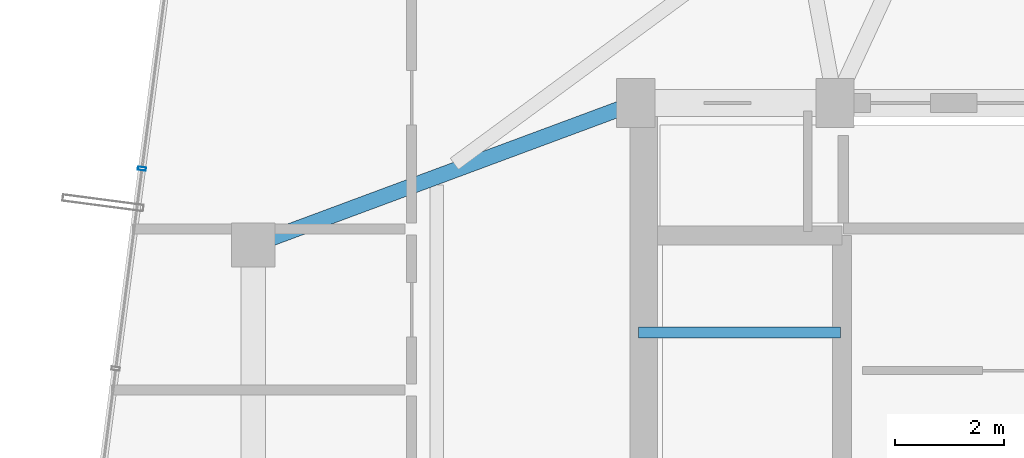
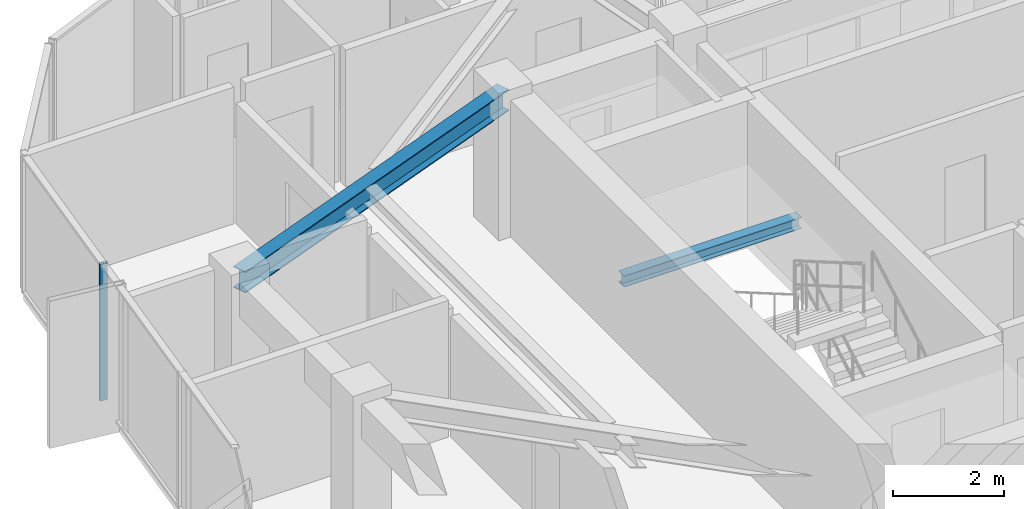
# One storey, part 14 of 31: 2 beams, 1 member, 1 element without a shape of its own.
"""IFC4 building model written with IfcOpenShell, lengths in metres."""

from ifc_helpers import new_model, si_unit, direction, frame, origin, origin_2d, place, context, subcontext, project, spatial, hollow_rectangle, i_section, extrude, source, transform, mapped, material, layer, layer_set, material_profile, profile_set, type_object, element, aggregate, save


model = new_model("IFC4")

# Units and contexts
model_context = context("Model", 3, precision=1e-05, world=origin(), true_north=direction((0.0, 1.0)))
body_context = subcontext(model_context, "Body", "Model", "MODEL_VIEW")
ifc_project = project(units=[si_unit("LENGTHUNIT", "METRE"), si_unit("AREAUNIT", "SQUARE_METRE"), si_unit("VOLUMEUNIT", "CUBIC_METRE"), si_unit("PLANEANGLEUNIT", "RADIAN"), si_unit("MASSUNIT", "GRAM", prefix="KILO")], contexts=[model_context])

# Site, building, storey
site_placement = place(None, origin())
site = spatial("IfcSite", under=ifc_project, at=site_placement, CompositionType="ELEMENT")
building_placement = place(site_placement, origin())
building = spatial("IfcBuilding", under=site, at=building_placement, Name="Veraguas Prism Commons", CompositionType="ELEMENT")
storey_placement = place(building_placement, frame((0.0, 0.0, 233.300048828125)))
storey = spatial("IfcBuildingStorey", under=building, at=storey_placement, Name="L66", CompositionType="ELEMENT", Elevation=233.300048828125)

# Beams
ifc_material_1 = material(Name="Steel ASTM A992 Grade 50", Category="steel")
ifc_material_profile_1 = material_profile(ifc_material_1, i_section(OverallWidth=0.202880859375, OverallDepth=0.251953125, WebThickness=0.008056640625, FlangeThickness=0.013427734375, at=origin_2d()), Name="W250X58")
ifc_profile_set_1 = profile_set([ifc_material_profile_1], Name="Steel ASTM A992 Grade 50")
beam_type_1 = type_object("IfcBeamType", Name="Structural Opening Lintel W250x58", PredefinedType="LINTEL", material=ifc_profile_set_1)
beam_1_placement = place(storey_placement, frame((17.25, 26.800048828125, 1.299072265625), z_axis=(1.0, 0.0, 0.0), x_axis=(0.0, 1.0, 0.0)))
element("IfcBeam", 1, at=beam_1_placement, inside=storey, type_object=beam_type_1, Name="Stair ST-01 Half-Landing Support Beam L66-1", PredefinedType="LINTEL", context=body_context, shape_type="SweptSolid", body=[
    extrude(i_section(OverallWidth=0.202880859375, OverallDepth=0.251953125, WebThickness=0.008056640625, FlangeThickness=0.013427734375, at=origin_2d()), origin(), (0.0, 0.0, 1.0), 3.699951171875),
])
ifc_material_profile_2 = material_profile(ifc_material_1, i_section(OverallWidth=0.282958984375, OverallDepth=0.471923828125, WebThickness=0.013671875, FlangeThickness=0.022216796875, at=origin_2d()), Name="W460X144")
ifc_profile_set_2 = profile_set([ifc_material_profile_2], Name="Steel ASTM A992 Grade 50")
beam_type_2 = type_object("IfcBeamType", Name="Zone 4 Radial Girder W460x144", PredefinedType="BEAM", material=ifc_profile_set_2)
beam_2_placement = place(storey_placement, frame((10.199951171875, 28.39990234375, 2.779052734375), z_axis=(0.937421003341, 0.348198021958, 0.0), x_axis=(-0.348198021958, 0.937421003341, 0.0)))
element("IfcBeam", 2, at=beam_2_placement, inside=storey, type_object=beam_type_2, Name="Radial Floor Girder L66-RD07", PredefinedType="BEAM", context=body_context, shape_type="SweptSolid", body=[
    extrude(i_section(OverallWidth=0.282958984375, OverallDepth=0.471923828125, WebThickness=0.013671875, FlangeThickness=0.022216796875, at=origin_2d()), origin(), (0.0, 0.0, 1.0), 7.46728515625),
])

# Curtain wall, member
ifc_material_2 = material(Name="Anodised aluminium EN AW-6063 T6", Category="aluminium")
ifc_layer = layer(ifc_material_2, 0.14990234375, Name="Unitised Flush Curtain Wall Zone 4", Category="aluminium")
ifc_layer_set = layer_set([ifc_layer], Name="Anodised aluminium EN AW-6063 T6")
curtain_wall_type = type_object("IfcCurtainWallType", Name="Unitised Flush Curtain Wall Zone 4", PredefinedType="NOTDEFINED", material=ifc_layer_set)
curtain_wall_placement = place(storey_placement, origin())
curtain_wall = element("IfcCurtainWall", 3, at=curtain_wall_placement, inside=storey, type_object=curtain_wall_type, Name="Tower Facade Curtain Wall L66-F3", PredefinedType="NOTDEFINED")
ifc_material_profile_3 = material_profile(ifc_material_2, hollow_rectangle(XDim=0.06005859375, YDim=0.14990234375, WallThickness=0.0029296875, at=origin_2d()), Name="AL60X150X3")
ifc_profile_set_3 = profile_set([ifc_material_profile_3], Name="Anodised aluminium EN AW-6063 T6")
member_type = type_object("IfcMemberType", Name="Curtain Wall Mullion Upper AL 60x150x3", PredefinedType="MULLION", material=ifc_profile_set_3)
shared_shape = source(origin(), body_context, "Body", "SweptSolid", [
    extrude(hollow_rectangle(XDim=0.06005859375, YDim=0.14990234375, WallThickness=0.0029296875, at=origin_2d()), origin(), (0.0, 0.0, 1.0), 3.014892578125),
])
member_placement = place(storey_placement, frame((8.1640625, 29.796630859375, 0.0), z_axis=(0.0, 0.0, 1.0), x_axis=(-0.129835731937, -0.991535517625, 0.0)))
member = element("IfcMember", 4, at=member_placement, type_object=member_type, Name="CW-Z4 Mullion 2", PredefinedType="MULLION", context=body_context, shape_type="MappedRepresentation", body=[
    mapped(shared_shape, transform((0.0, 0.0, 0.0), scale=1.0)),
])
aggregate(curtain_wall, [member])

save(model, "model.ifc")
